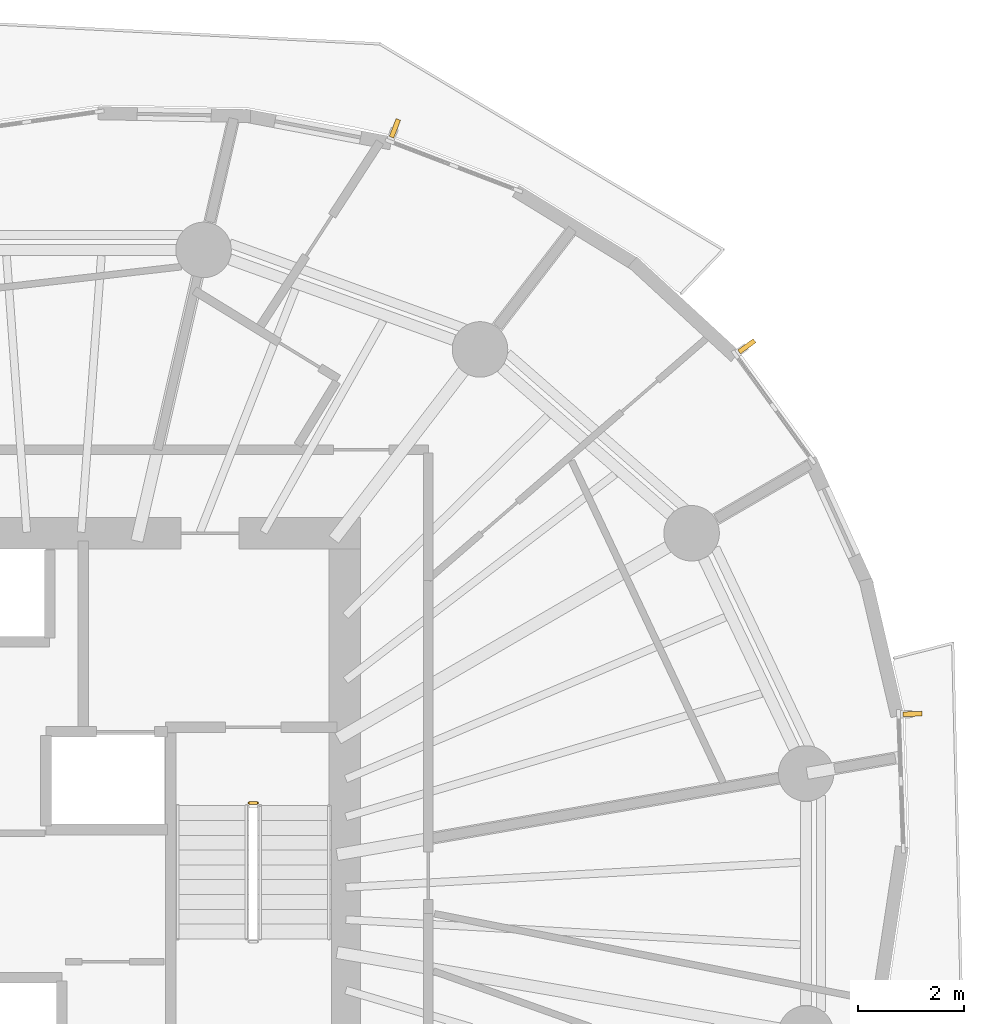
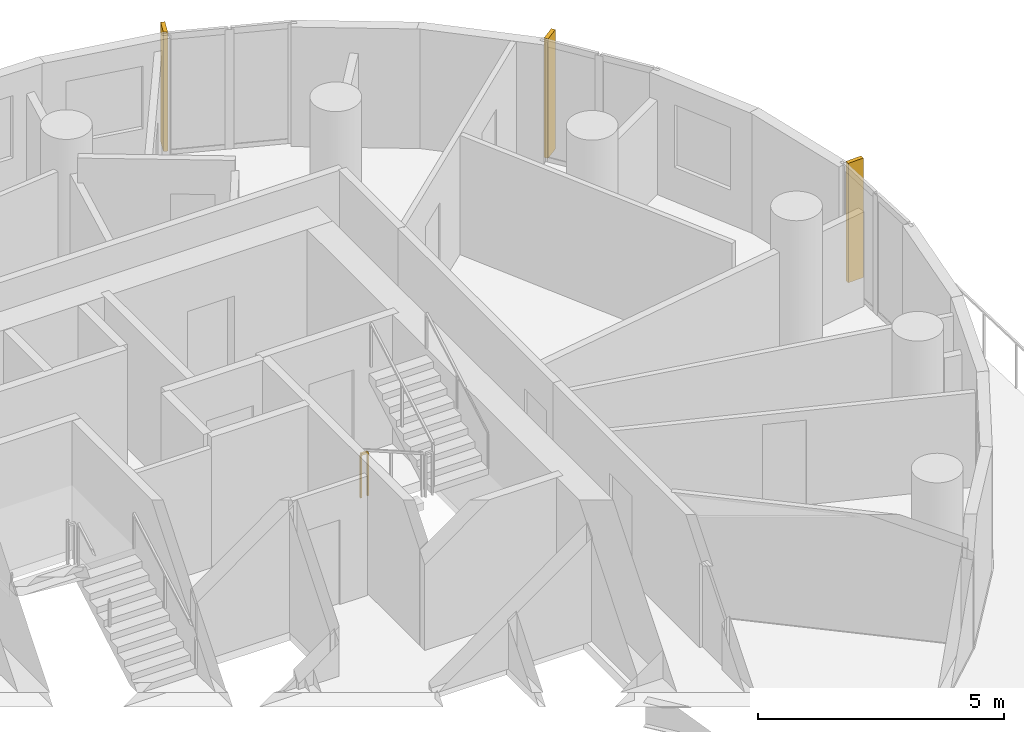
# One storey, part 14 of 14: 3 shading devices, 1 railing.
"""IFC4 building model written with IfcOpenShell, lengths in metres."""

from ifc_helpers import new_model, si_unit, direction, frame, origin, origin_2d, place, context, subcontext, project, spatial, rectangle, extrude, material, layer, layer_set, type_object, element, save


model = new_model("IFC4")

# Units and contexts
model_context = context("Model", 3, precision=1e-05, world=origin(), true_north=direction((0.0, 1.0)))
body_context = subcontext(model_context, "Body", "Model", "MODEL_VIEW")
ifc_project = project(units=[si_unit("LENGTHUNIT", "METRE"), si_unit("AREAUNIT", "SQUARE_METRE"), si_unit("VOLUMEUNIT", "CUBIC_METRE"), si_unit("PLANEANGLEUNIT", "RADIAN"), si_unit("MASSUNIT", "GRAM", prefix="KILO")], contexts=[model_context])

# Site, building, storey
site_placement = place(None, origin())
site = spatial("IfcSite", under=ifc_project, at=site_placement, CompositionType="ELEMENT")
building_placement = place(site_placement, origin())
building = spatial("IfcBuilding", under=site, at=building_placement, Name="Veldorim Arch Residences", CompositionType="ELEMENT")
storey_placement = place(building_placement, frame((0.0, 0.0, 123.360107421875)))
storey = spatial("IfcBuildingStorey", under=building, at=storey_placement, Name="L36", CompositionType="ELEMENT", Elevation=123.360107421875)

# Railing
ifc_material_1 = material(Name="Steel S355", Category="steel")
railing_type = type_object("IfcRailingType", Name="Galvanised Steel Stair Safety Guardrail 1100", PredefinedType="GUARDRAIL", material=ifc_material_1)
railing_placement = place(storey_placement, frame((35.68994140625, 25.89990234375, 0.0)))
element("IfcRailing", 1, at=railing_placement, inside=storey, type_object=railing_type, Name="L36 ST-2 stair guard 4", PredefinedType="GUARDRAIL", context=body_context, shape_type="SweptSolid", body=[
    extrude(rectangle(XDim=0.048095703125, YDim=0.048095703125, at=origin_2d()), frame((0.0, 0.0, 1.076171875), z_axis=(1.0, 0.0, 0.0), x_axis=(0.0, 1.0, 0.0)), (0.0, 0.0, 1.0), 0.16015625),
    extrude(rectangle(XDim=0.0419921875, YDim=0.0419921875, at=origin_2d()), origin(), (0.0, 0.0, 1.0), 1.052001953125),
    extrude(rectangle(XDim=0.0419921875, YDim=0.0419921875, at=origin_2d()), frame((0.16015625, 0.0, 0.0)), (0.0, 0.0, 1.0), 1.052001953125),
])

# Shading devices
ifc_material_2 = material(Name="Terracotta Ceramic", Category="masonry")
ifc_layer = layer(ifc_material_2, 0.090087890625, Name="Vertical Extruded Terracotta Baguette Sun-Shading Fin")
ifc_layer_set = layer_set([ifc_layer], Name="Terracotta Ceramic")
shading_device_type = type_object("IfcShadingDeviceType", Name="Vertical Extruded Terracotta Baguette Sun-Shading Fin", PredefinedType="USERDEFINED", material=ifc_layer_set)
for number, where, z_axis, x_axis, name in (
    (2, (45.1005859375, 34.535400390625, 0.0), (0.0, 0.0, 1.0), (0.587644043238, -0.809119569932, 0.0), "L36 vertical terracotta sun-shading fin 01"),
    (3, (38.447021484375, 38.656982421875, 0.0), (0.0, 0.0, 1.0), (0.934079892355, -0.357064076459, 0.0), "L36 vertical terracotta sun-shading fin 04"),
    (4, (48.234619140625, 27.583984375, 0.0), (0.0, 0.0, 1.0), (0.035422771708, -0.999372416692, 0.0), "L36 vertical terracotta sun-shading fin 34"),
):
    element("IfcShadingDevice", number, at=place(storey_placement, frame(where, z_axis=z_axis, x_axis=x_axis)), inside=storey, type_object=shading_device_type, Name=name, ObjectType="FIN", PredefinedType="USERDEFINED", context=body_context, shape_type="SweptSolid", body=[
        extrude(rectangle(XDim=0.090087890625, YDim=0.360107421875, at=origin_2d()), origin(), (0.0, 0.0, 1.0), 2.9599609375),
    ])

save(model, "model.ifc")
